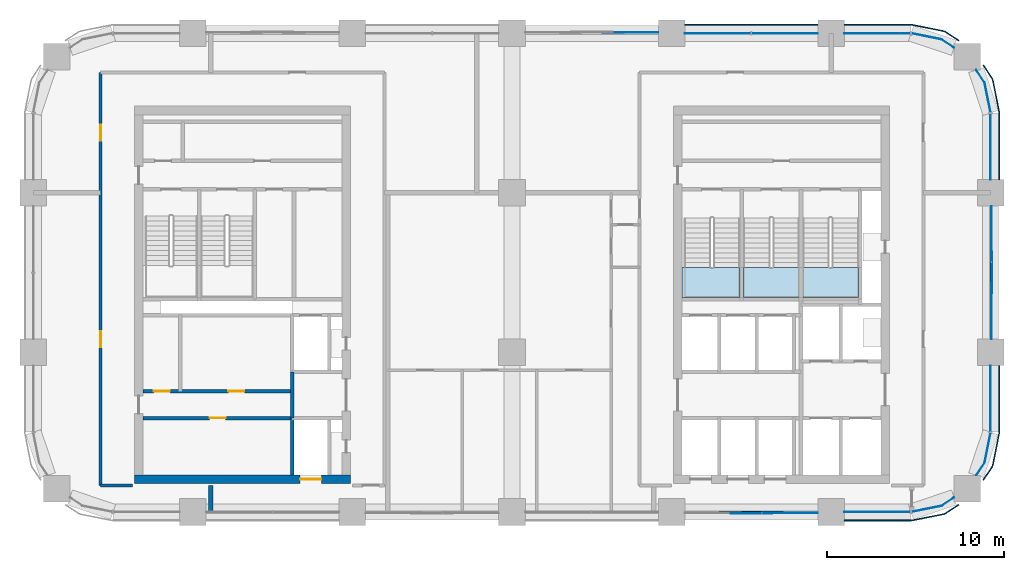
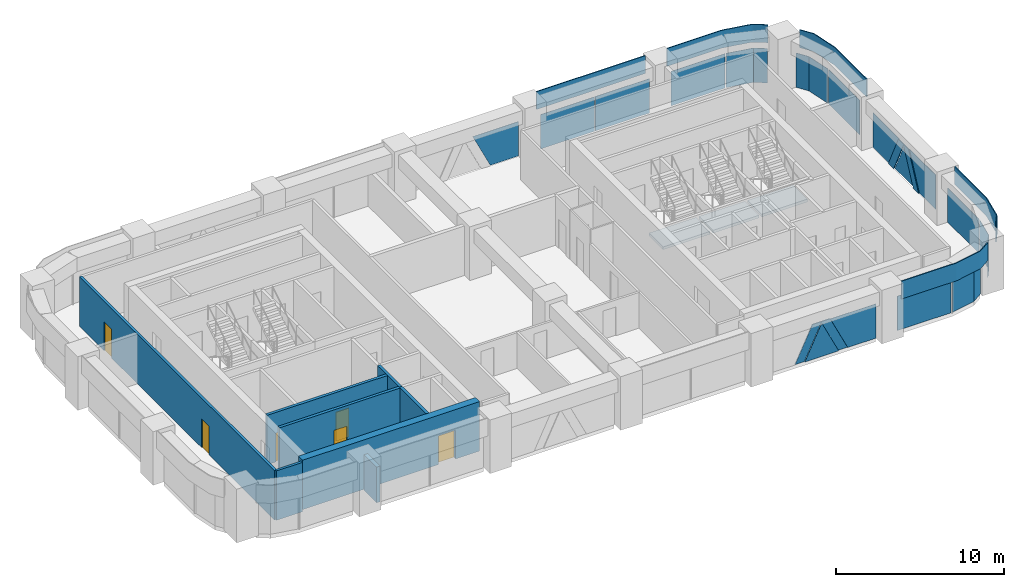
# One storey, part 8 of 19: 23 plates, 8 walls, 6 doors, 3 slabs, 6 openings, 11 elements without a shape of their own.
"""IFC4 building model written with IfcOpenShell, lengths in metres."""

from ifc_helpers import new_model, si_unit, direction, frame, frame_2d, origin, origin_2d, place, context, subcontext, project, spatial, polyline, rectangle, outline, extrude, material, layer, layer_set, type_object, element, fill, aggregate, save


model = new_model("IFC4")

# Units and contexts
model_context = context("Model", 3, precision=1e-05, world=origin(), true_north=direction((0.0, 1.0)))
body_context = subcontext(model_context, "Body", "Model", "MODEL_VIEW")
ifc_project = project(units=[si_unit("LENGTHUNIT", "METRE"), si_unit("AREAUNIT", "SQUARE_METRE"), si_unit("VOLUMEUNIT", "CUBIC_METRE"), si_unit("PLANEANGLEUNIT", "RADIAN"), si_unit("MASSUNIT", "GRAM", prefix="KILO")], contexts=[model_context])

# Site, building, storey
site_placement = place(None, origin())
site = spatial("IfcSite", under=ifc_project, at=site_placement, CompositionType="ELEMENT")
building_placement = place(site_placement, origin())
building = spatial("IfcBuilding", under=site, at=building_placement, Name="Tessera Arch", CompositionType="ELEMENT")
storey_placement = place(building_placement, frame((0.0, 0.0, 170.0)))
storey = spatial("IfcBuildingStorey", under=building, at=storey_placement, Name="L40", CompositionType="ELEMENT", Elevation=170.0)

# Curtain wall, plates
ifc_material_1 = material(Name="CW1 curtain wall")
curtain_wall_type_1 = type_object("IfcCurtainWallType", Name="CW1 curtain wall", PredefinedType="NOTDEFINED", material=ifc_material_1)
curtain_wall_1_placement = place(storey_placement, origin())
curtain_wall_1 = element("IfcCurtainWall", 1, at=curtain_wall_1_placement, inside=storey, type_object=curtain_wall_type_1, Name="CW1 curtain wall N54.0/1 L40", PredefinedType="NOTDEFINED")
ifc_material_2 = material(Name="Clear low-e glass", Category="glass")
ifc_material_3 = material(Name="Clear low-e glass", Category="glass")
ifc_layer_1 = layer(ifc_material_3, 0.028076171875)
ifc_layer_set_1 = layer_set([ifc_layer_1], Name="CW1 glass panel")
plate_type_1 = type_object("IfcPlateType", Name="CW1 glass panel", PredefinedType="CURTAIN_PANEL", material=ifc_layer_set_1)
plate_1_placement = place(storey_placement, frame((42.389892578125, 54.0, 0.0), z_axis=(0.0, 0.0, 1.0), x_axis=(-1.0, 0.0, 0.0)))
plate_1 = element("IfcPlate", 2, at=plate_1_placement, type_object=plate_type_1, material=ifc_material_2, Name="CW1 glass panel N54.0/1 1.1.1", PredefinedType="CURTAIN_PANEL", context=body_context, shape_type="SweptSolid", body=[
    extrude(rectangle(XDim=3.719970703125, YDim=0.028076171875, at=origin_2d()), origin(), (0.0, 0.0, 1.0), 2.5),
])
plate_2_placement = place(storey_placement, frame((38.610107421875, 54.0, 0.0), z_axis=(0.0, 0.0, 1.0), x_axis=(-1.0, 0.0, 0.0)))
plate_2 = element("IfcPlate", 3, at=plate_2_placement, type_object=plate_type_1, material=ifc_material_2, Name="CW1 glass panel N54.0/1 1.2.1", PredefinedType="CURTAIN_PANEL", context=body_context, shape_type="SweptSolid", body=[
    extrude(rectangle(XDim=3.719970703125, YDim=0.028076171875, at=origin_2d()), origin(), (0.0, 0.0, 1.0), 2.5),
])
ifc_material_4 = material(Name="Pale anodised aluminium panel", Category="aluminium")
ifc_layer_2 = layer(ifc_material_4, 0.06005859375)
ifc_layer_set_2 = layer_set([ifc_layer_2], Name="CW1 spandrel panel")
plate_type_2 = type_object("IfcPlateType", Name="CW1 spandrel panel", PredefinedType="CURTAIN_PANEL", material=ifc_layer_set_2)
plate_3_placement = place(storey_placement, frame((40.5, 54.47998046875, 2.60009765625), z_axis=(0.0, 0.0, 1.0), x_axis=(-1.0, 0.0, 0.0)))
plate_3 = element("IfcPlate", 4, at=plate_3_placement, type_object=plate_type_2, Name="CW1 spandrel panel N54.0/1", PredefinedType="CURTAIN_PANEL", context=body_context, shape_type="SweptSolid", body=[
    extrude(rectangle(XDim=7.5, YDim=0.06005859375, at=origin_2d()), origin(), (0.0, 0.0, 1.0), 1.300048828125),
])
aggregate(curtain_wall_1, [plate_1, plate_2, plate_3])

ifc_material_5 = material(Name="CW2 curtain wall")
curtain_wall_type_2 = type_object("IfcCurtainWallType", Name="CW2 curtain wall", PredefinedType="NOTDEFINED", material=ifc_material_5)
curtain_wall_2_placement = place(storey_placement, origin())
curtain_wall_2 = element("IfcCurtainWall", 5, at=curtain_wall_2_placement, inside=storey, type_object=curtain_wall_type_2, Name="CW2 curtain wall E54.27/1 L40", PredefinedType="NOTDEFINED")
ifc_material_6 = material(Name="Clear low-e glass", Category="glass")
ifc_layer_3 = layer(ifc_material_6, 0.028076171875)
ifc_layer_set_3 = layer_set([ifc_layer_3], Name="CW2 glass panel")
plate_type_3 = type_object("IfcPlateType", Name="CW2 glass panel", PredefinedType="CURTAIN_PANEL", material=ifc_layer_set_3)
plate_4_placement = place(storey_placement, frame((54.0, 47.60498046875, 0.0), z_axis=(0.0, 0.0, 1.0), x_axis=(0.0, 1.0, 0.0)))
plate_4 = element("IfcPlate", 6, at=plate_4_placement, type_object=plate_type_3, material=ifc_material_2, Name="CW2 glass panel E54.27/1 1.1", PredefinedType="CURTAIN_PANEL", context=body_context, shape_type="SweptSolid", body=[
    extrude(rectangle(XDim=3.7099609375, YDim=0.028076171875, at=origin_2d()), origin(), (0.0, 0.0, 1.0), 2.5),
])
plate_5_placement = place(storey_placement, origin())
plate_5 = element("IfcPlate", 7, at=plate_5_placement, type_object=plate_type_3, material=ifc_material_2, Name="CW2 curved glass panel E54.27/1 2.1", PredefinedType="CURTAIN_PANEL", context=body_context, shape_type="SweptSolid", body=[
    extrude(outline(polyline([(53.644287109375, 51.216552734375), (53.978515625, 49.53662109375), (54.005859375, 49.5419921875), (53.670654296875, 51.2275390625), (53.19482421875, 51.939697265625), (53.17138671875, 51.92431640625), (53.644287109375, 51.216552734375)])), origin(), (0.0, 0.0, 1.0), 2.5),
])

curtain_wall_3_placement = place(storey_placement, origin())
curtain_wall_3 = element("IfcCurtainWall", 8, at=curtain_wall_3_placement, inside=storey, type_object=curtain_wall_type_2, Name="CW2 curtain wall N54.0/0 L40", PredefinedType="NOTDEFINED")
plate_6_placement = place(storey_placement, frame((47.60498046875, 54.0, 0.0), z_axis=(0.0, 0.0, 1.0), x_axis=(-1.0, 0.0, 0.0)))
plate_6 = element("IfcPlate", 9, at=plate_6_placement, type_object=plate_type_3, material=ifc_material_2, Name="CW2 glass panel N54.0/0 1.1", PredefinedType="CURTAIN_PANEL", context=body_context, shape_type="SweptSolid", body=[
    extrude(rectangle(XDim=3.7099609375, YDim=0.028076171875, at=origin_2d()), origin(), (0.0, 0.0, 1.0), 2.5),
])
plate_7_placement = place(storey_placement, origin())
plate_7 = element("IfcPlate", 10, at=plate_7_placement, type_object=plate_type_3, material=ifc_material_2, Name="CW2 curved glass panel N54.0/0 2.1", PredefinedType="CURTAIN_PANEL", context=body_context, shape_type="SweptSolid", body=[
    extrude(outline(polyline([(51.216552734375, 53.644287109375), (51.92431640625, 53.17138671875), (51.939697265625, 53.19482421875), (51.2275390625, 53.670654296875), (49.5419921875, 54.005859375), (49.53662109375, 53.978515625), (51.216552734375, 53.644287109375)])), origin(), (0.0, 0.0, 1.0), 2.5),
])

curtain_wall_4_placement = place(storey_placement, origin())
curtain_wall_4 = element("IfcCurtainWall", 11, at=curtain_wall_4_placement, inside=storey, type_object=curtain_wall_type_2, Name="CW2 curtain wall S27.0/5 L40", PredefinedType="NOTDEFINED")
plate_8_placement = place(storey_placement, frame((47.60498046875, 27.0, 0.0), z_axis=(0.0, 0.0, 1.0), x_axis=(1.0, 0.0, 0.0)))
plate_8 = element("IfcPlate", 12, at=plate_8_placement, type_object=plate_type_3, material=ifc_material_2, Name="CW2 glass panel S27.0/5 1.1", PredefinedType="CURTAIN_PANEL", context=body_context, shape_type="SweptSolid", body=[
    extrude(rectangle(XDim=3.7099609375, YDim=0.028076171875, at=origin_2d()), origin(), (0.0, 0.0, 1.0), 2.5),
])
plate_9_placement = place(storey_placement, origin())
plate_9 = element("IfcPlate", 13, at=plate_9_placement, type_object=plate_type_3, material=ifc_material_2, Name="CW2 curved glass panel S27.0/5 2.1", PredefinedType="CURTAIN_PANEL", context=body_context, shape_type="SweptSolid", body=[
    extrude(outline(polyline([(51.216552734375, 27.355712890625), (49.53662109375, 27.021484375), (49.5419921875, 26.994140625), (51.2275390625, 27.329345703125), (51.939697265625, 27.80517578125), (51.92431640625, 27.82861328125), (51.216552734375, 27.355712890625)])), origin(), (0.0, 0.0, 1.0), 2.5),
])

curtain_wall_5_placement = place(storey_placement, origin())
curtain_wall_5 = element("IfcCurtainWall", 14, at=curtain_wall_5_placement, inside=storey, type_object=curtain_wall_type_2, Name="CW2 curtain wall E54.27/2 L40", PredefinedType="NOTDEFINED")
plate_10_placement = place(storey_placement, frame((54.0, 33.39501953125, 0.0), z_axis=(0.0, 0.0, 1.0), x_axis=(0.0, 1.0, 0.0)))
plate_10 = element("IfcPlate", 15, at=plate_10_placement, type_object=plate_type_3, material=ifc_material_2, Name="CW2 glass panel E54.27/2 1.1", PredefinedType="CURTAIN_PANEL", context=body_context, shape_type="SweptSolid", body=[
    extrude(rectangle(XDim=3.7099609375, YDim=0.028076171875, at=origin_2d()), origin(), (0.0, 0.0, 1.0), 2.5),
])
plate_11_placement = place(storey_placement, origin())
plate_11 = element("IfcPlate", 16, at=plate_11_placement, type_object=plate_type_3, material=ifc_material_2, Name="CW2 curved glass panel E54.27/2 2.1", PredefinedType="CURTAIN_PANEL", context=body_context, shape_type="SweptSolid", body=[
    extrude(outline(polyline([(53.644287109375, 29.783447265625), (53.17138671875, 29.07568359375), (53.19482421875, 29.060302734375), (53.670654296875, 29.7724609375), (54.005859375, 31.4580078125), (53.978515625, 31.46337890625), (53.644287109375, 29.783447265625)])), origin(), (0.0, 0.0, 1.0), 2.5),
])

# Plate
ifc_material_7 = material(Name="Pale anodised aluminium panel", Category="aluminium")
ifc_layer_4 = layer(ifc_material_7, 0.06005859375)
ifc_layer_set_4 = layer_set([ifc_layer_4], Name="CW2 spandrel panel")
plate_type_4 = type_object("IfcPlateType", Name="CW2 spandrel panel", PredefinedType="CURTAIN_PANEL", material=ifc_layer_set_4)
plate_12_placement = place(storey_placement, frame((0.0, 0.0, 2.60009765625)))
plate_12 = element("IfcPlate", 17, at=plate_12_placement, type_object=plate_type_4, Name="CW2 spandrel panel E54.27/1", PredefinedType="CURTAIN_PANEL", context=body_context, shape_type="SweptSolid", body=[
    extrude(outline(polyline([(54.449951171875, 49.499267578125), (54.449951171875, 45.75), (54.510009765625, 45.75), (54.510009765625, 49.500732421875), (54.507568359375, 49.550048828125), (54.500244140625, 49.598876953125), (54.157470703125, 51.322265625), (54.1455078125, 51.3701171875), (54.128662109375, 51.417236328125), (54.107421875, 51.462646484375), (54.08203125, 51.5048828125), (53.607177734375, 52.21533203125), (53.55712890625, 52.18212890625), (54.03125, 51.47265625), (54.054443359375, 51.434326171875), (54.0732421875, 51.394287109375), (54.088134765625, 51.352783203125), (54.09912109375, 51.30908203125), (54.441162109375, 49.588623046875), (54.44775390625, 49.544189453125), (54.449951171875, 49.499267578125)])), origin(), (0.0, 0.0, 1.0), 1.2998046875),
])

aggregate(curtain_wall_2, [plate_4, plate_5, plate_12])

plate_13_placement = place(storey_placement, frame((0.0, 0.0, 2.60009765625)))
plate_13 = element("IfcPlate", 18, at=plate_13_placement, type_object=plate_type_4, Name="CW2 spandrel panel N54.0/0", PredefinedType="CURTAIN_PANEL", context=body_context, shape_type="SweptSolid", body=[
    extrude(outline(polyline([(51.47265625, 54.03125), (52.18212890625, 53.55712890625), (52.21533203125, 53.607177734375), (51.5048828125, 54.08203125), (51.462646484375, 54.107421875), (51.417236328125, 54.128662109375), (51.3701171875, 54.1455078125), (51.322265625, 54.157470703125), (49.598876953125, 54.500244140625), (49.550048828125, 54.507568359375), (49.500732421875, 54.510009765625), (45.75, 54.510009765625), (45.75, 54.449951171875), (49.499267578125, 54.449951171875), (49.544189453125, 54.44775390625), (49.588623046875, 54.441162109375), (51.30908203125, 54.09912109375), (51.352783203125, 54.088134765625), (51.394287109375, 54.0732421875), (51.434326171875, 54.054443359375), (51.47265625, 54.03125)])), origin(), (0.0, 0.0, 1.0), 1.2998046875),
])

aggregate(curtain_wall_3, [plate_6, plate_7, plate_13])

plate_14_placement = place(storey_placement, frame((0.0, 0.0, 2.60009765625)))
plate_14 = element("IfcPlate", 19, at=plate_14_placement, type_object=plate_type_4, Name="CW2 spandrel panel S27.0/5", PredefinedType="CURTAIN_PANEL", context=body_context, shape_type="SweptSolid", body=[
    extrude(outline(polyline([(49.499267578125, 26.550048828125), (45.75, 26.550048828125), (45.75, 26.489990234375), (49.500732421875, 26.489990234375), (49.550048828125, 26.492431640625), (49.598876953125, 26.499755859375), (51.322265625, 26.842529296875), (51.3701171875, 26.8544921875), (51.417236328125, 26.871337890625), (51.462646484375, 26.892578125), (51.5048828125, 26.91796875), (52.21533203125, 27.392822265625), (52.18212890625, 27.44287109375), (51.47265625, 26.96875), (51.434326171875, 26.945556640625), (51.394287109375, 26.9267578125), (51.352783203125, 26.911865234375), (51.30908203125, 26.90087890625), (49.588623046875, 26.558837890625), (49.544189453125, 26.55224609375), (49.499267578125, 26.550048828125)])), origin(), (0.0, 0.0, 1.0), 1.2998046875),
])

aggregate(curtain_wall_4, [plate_8, plate_9, plate_14])

plate_15_placement = place(storey_placement, frame((0.0, 0.0, 2.60009765625)))
plate_15 = element("IfcPlate", 20, at=plate_15_placement, type_object=plate_type_4, Name="CW2 spandrel panel E54.27/2", PredefinedType="CURTAIN_PANEL", context=body_context, shape_type="SweptSolid", body=[
    extrude(outline(polyline([(54.03125, 29.52734375), (53.55712890625, 28.81787109375), (53.607177734375, 28.78466796875), (54.08203125, 29.4951171875), (54.107421875, 29.537353515625), (54.128662109375, 29.582763671875), (54.1455078125, 29.6298828125), (54.157470703125, 29.677734375), (54.500244140625, 31.401123046875), (54.507568359375, 31.449951171875), (54.510009765625, 31.499267578125), (54.510009765625, 35.25), (54.449951171875, 35.25), (54.449951171875, 31.500732421875), (54.44775390625, 31.455810546875), (54.441162109375, 31.411376953125), (54.09912109375, 29.69091796875), (54.088134765625, 29.647216796875), (54.0732421875, 29.605712890625), (54.054443359375, 29.565673828125), (54.03125, 29.52734375)])), origin(), (0.0, 0.0, 1.0), 1.2998046875),
])

aggregate(curtain_wall_5, [plate_10, plate_11, plate_15])

# Curtain wall, plate
ifc_material_8 = material(Name="CW3 curtain wall")
curtain_wall_type_3 = type_object("IfcCurtainWallType", Name="CW3 curtain wall", PredefinedType="NOTDEFINED", material=ifc_material_8)
curtain_wall_6_placement = place(storey_placement, origin())
curtain_wall_6 = element("IfcCurtainWall", 21, at=curtain_wall_6_placement, inside=storey, type_object=curtain_wall_type_3, Name="CW3 curtain wall E54.27/0 L40", PredefinedType="NOTDEFINED")
ifc_material_9 = material(Name="Pale anodised aluminium panel", Category="aluminium")
ifc_layer_5 = layer(ifc_material_9, 0.06005859375)
ifc_layer_set_5 = layer_set([ifc_layer_5], Name="CW3 diagonal panel")
plate_type_5 = type_object("IfcPlateType", Name="CW3 diagonal panel", PredefinedType="CURTAIN_PANEL", material=ifc_layer_set_5)
plate_16_placement = place(storey_placement, frame((54.030029296875, 41.108642578125, 2.5), z_axis=(1.0, 0.0, 0.0), x_axis=(0.0, -1.0, 0.0)))
plate_16 = element("IfcPlate", 22, at=plate_16_placement, type_object=plate_type_5, Name="CW3 diagonal panel E54.27/0 1", PredefinedType="CURTAIN_PANEL", context=body_context, shape_type="SweptSolid", body=[
    extrude(outline(polyline([(0.0, 0.0), (1.21728515625, 0.0), (2.419189453125, 2.5), (1.77880859375, 2.5), (0.608642578125, 0.06591796875), (-0.5615234375, 2.5), (-1.201904296875, 2.5), (0.0, 0.0)])), origin(), (0.0, 0.0, -1.0), 0.06005859375),
])

curtain_wall_7_placement = place(storey_placement, origin())
curtain_wall_7 = element("IfcCurtainWall", 23, at=curtain_wall_7_placement, inside=storey, type_object=curtain_wall_type_3, Name="CW3 curtain wall S27.0/4 L40", PredefinedType="NOTDEFINED")
plate_17_placement = place(storey_placement, frame((41.108642578125, 26.969970703125, 2.5), z_axis=(0.0, -1.0, 0.0), x_axis=(-1.0, 0.0, 0.0)))
plate_17 = element("IfcPlate", 24, at=plate_17_placement, type_object=plate_type_5, Name="CW3 diagonal panel S27.0/4 1", PredefinedType="CURTAIN_PANEL", context=body_context, shape_type="SweptSolid", body=[
    extrude(outline(polyline([(0.0, 0.0), (1.21728515625, 0.0), (2.419189453125, 2.5), (1.77880859375, 2.5), (0.608642578125, 0.06591796875), (-0.5615234375, 2.5), (-1.201904296875, 2.5), (0.0, 0.0)])), origin(), (0.0, 0.0, -1.0), 0.06005859375),
])

# Plate
ifc_material_10 = material(Name="Clear low-e glass", Category="glass")
ifc_layer_6 = layer(ifc_material_10, 0.028076171875)
ifc_layer_set_6 = layer_set([ifc_layer_6], Name="CW3 glass panel")
plate_type_6 = type_object("IfcPlateType", Name="CW3 glass panel", PredefinedType="CURTAIN_PANEL", material=ifc_layer_set_6)
plate_18_placement = place(storey_placement, frame((54.05810546875, 36.75, 0.0), z_axis=(1.0, 0.0, 0.0), x_axis=(0.0, 1.0, 0.0)))
plate_18 = element("IfcPlate", 25, at=plate_18_placement, type_object=plate_type_6, material=ifc_material_2, Name="CW3 triangulated glass panel E54.27/0 1", PredefinedType="CURTAIN_PANEL", context=body_context, shape_type="SweptSolid", body=[
    extrude(outline(polyline([(0.0, 0.0), (1.939453125, 0.0), (3.141357421875, 2.5), (0.0, 2.5), (0.0, 0.0)])), origin(), (0.0, 0.0, -1.0), 0.028076171875),
])

plate_19_placement = place(storey_placement, frame((54.0859375, 39.329833984375, 0.0), z_axis=(1.0, 0.0, 0.0), x_axis=(0.0, 1.0, 0.0)))
plate_19 = element("IfcPlate", 26, at=plate_19_placement, type_object=plate_type_6, material=ifc_material_2, Name="CW3 triangulated glass panel E54.27/0 2", PredefinedType="CURTAIN_PANEL", context=body_context, shape_type="SweptSolid", body=[
    extrude(outline(polyline([(0.0, 0.0), (2.34033203125, 0.0), (1.170166015625, 2.43408203125), (0.0, 0.0)])), origin(), (0.0, 0.0, -1.0), 0.028076171875),
])

plate_20_placement = place(storey_placement, frame((54.05810546875, 44.25, 2.5), z_axis=(1.0, 0.0, 0.0), x_axis=(0.0, -1.0, 0.0)))
plate_20 = element("IfcPlate", 27, at=plate_20_placement, type_object=plate_type_6, material=ifc_material_2, Name="CW3 triangulated glass panel E54.27/0 3", PredefinedType="CURTAIN_PANEL", context=body_context, shape_type="SweptSolid", body=[
    extrude(outline(polyline([(0.0, 0.0), (3.141357421875, 0.0), (1.939453125, 2.5), (0.0, 2.5), (0.0, 0.0)])), origin(), (0.0, 0.0, -1.0), 0.028076171875),
])

aggregate(curtain_wall_6, [plate_18, plate_19, plate_20, plate_16])

# Curtain wall, plate
curtain_wall_8_placement = place(storey_placement, origin())
curtain_wall_8 = element("IfcCurtainWall", 28, at=curtain_wall_8_placement, inside=storey, type_object=curtain_wall_type_3, Name="CW3 curtain wall N54.0/2 L40", PredefinedType="NOTDEFINED")
plate_21_placement = place(storey_placement, frame((35.25, 54.05810546875, 0.0), z_axis=(0.0, 1.0, 0.0), x_axis=(-1.0, 0.0, 0.0)))
plate_21 = element("IfcPlate", 29, at=plate_21_placement, type_object=plate_type_6, material=ifc_material_2, Name="CW3 triangulated glass panel N54.0/2 1", PredefinedType="CURTAIN_PANEL", context=body_context, shape_type="SweptSolid", body=[
    extrude(outline(polyline([(0.0, 0.0), (1.939453125, 0.0), (3.141357421875, 2.5), (0.0, 2.5), (0.0, 0.0)])), origin(), (0.0, 0.0, -1.0), 0.028076171875),
])
aggregate(curtain_wall_8, [plate_21])

# Plate
plate_22_placement = place(storey_placement, frame((39.329833984375, 26.9140625, 0.0), z_axis=(0.0, -1.0, 0.0), x_axis=(1.0, 0.0, 0.0)))
plate_22 = element("IfcPlate", 30, at=plate_22_placement, type_object=plate_type_6, material=ifc_material_2, Name="CW3 triangulated glass panel S27.0/4 2", PredefinedType="CURTAIN_PANEL", context=body_context, shape_type="SweptSolid", body=[
    extrude(outline(polyline([(0.0, 0.0), (2.34033203125, 0.0), (1.170166015625, 2.43408203125), (0.0, 0.0)])), origin(), (0.0, 0.0, -1.0), 0.028076171875),
])

plate_23_placement = place(storey_placement, frame((44.25, 26.94189453125, 2.5), z_axis=(0.0, -1.0, 0.0), x_axis=(-1.0, 0.0, 0.0)))
plate_23 = element("IfcPlate", 31, at=plate_23_placement, type_object=plate_type_6, material=ifc_material_2, Name="CW3 triangulated glass panel S27.0/4 3", PredefinedType="CURTAIN_PANEL", context=body_context, shape_type="SweptSolid", body=[
    extrude(outline(polyline([(0.0, 0.0), (3.141357421875, 0.0), (1.939453125, 2.5), (0.0, 2.5), (0.0, 0.0)])), origin(), (0.0, 0.0, -1.0), 0.028076171875),
])

aggregate(curtain_wall_7, [plate_22, plate_23, plate_17])

# Stair, slab
ifc_material_11 = material(Name="Concrete C40/50", Category="concrete")
stair_type = type_object("IfcStairType", Name="Dogleg stair 1520", PredefinedType="HALF_TURN_STAIR", material=ifc_material_11)
stair_1_placement = place(storey_placement, origin())
stair_1 = element("IfcStair", 32, at=stair_1_placement, inside=storey, type_object=stair_type, Name="L40 S1a", PredefinedType="HALF_TURN_STAIR")
ifc_material_12 = material(Name="Concrete C40/50", Category="concrete")
ifc_layer_7 = layer(ifc_material_12, 0.300048828125)
ifc_layer_set_7 = layer_set([ifc_layer_7], Name="Stair landing 300")
slab_type = type_object("IfcSlabType", Name="Stair landing 300", PredefinedType="LANDING", material=ifc_layer_set_7)
slab_1_placement = place(storey_placement, frame((0.0, 0.0, 1.75)))
slab_1 = element("IfcSlab", 33, at=slab_1_placement, type_object=slab_type, Name="S1a landing 1", PredefinedType="LANDING", context=body_context, shape_type="SweptSolid", body=[
    extrude(outline(polyline([(36.60009765625, 40.780029296875), (36.60009765625, 39.10009765625), (39.85009765625, 39.10009765625), (39.85009765625, 40.780029296875), (36.60009765625, 40.780029296875)])), origin(), (0.0, 0.0, 1.0), 0.199951171875),
])
aggregate(stair_1, [slab_1])

stair_2_placement = place(storey_placement, origin())
stair_2 = element("IfcStair", 34, at=stair_2_placement, inside=storey, type_object=stair_type, Name="L40 S1b", PredefinedType="HALF_TURN_STAIR")
slab_2_placement = place(storey_placement, frame((0.0, 0.0, 1.75)))
slab_2 = element("IfcSlab", 35, at=slab_2_placement, type_object=slab_type, Name="S1b landing 1", PredefinedType="LANDING", context=body_context, shape_type="SweptSolid", body=[
    extrude(outline(polyline([(40.050048828125, 40.780029296875), (40.050048828125, 39.10009765625), (43.199951171875, 39.10009765625), (43.199951171875, 40.780029296875), (40.050048828125, 40.780029296875)])), origin(), (0.0, 0.0, 1.0), 0.199951171875),
])
aggregate(stair_2, [slab_2])

stair_3_placement = place(storey_placement, origin())
stair_3 = element("IfcStair", 36, at=stair_3_placement, inside=storey, type_object=stair_type, Name="L40 S1c", PredefinedType="HALF_TURN_STAIR")
slab_3_placement = place(storey_placement, frame((0.0, 0.0, 1.75)))
slab_3 = element("IfcSlab", 37, at=slab_3_placement, type_object=slab_type, Name="S1c landing 1", PredefinedType="LANDING", context=body_context, shape_type="SweptSolid", body=[
    extrude(outline(polyline([(43.39990234375, 40.780029296875), (43.39990234375, 39.10009765625), (46.550048828125, 39.10009765625), (46.550048828125, 40.780029296875), (43.39990234375, 40.780029296875)])), origin(), (0.0, 0.0, 1.0), 0.199951171875),
])
aggregate(stair_3, [slab_3])

# Wall
ifc_material_13 = material(Name="Gypsum board on steel stud", Category="steel")
ifc_layer_8 = layer(ifc_material_13, 0.125)
ifc_layer_set_8 = layer_set([ifc_layer_8], Name="Core partition 125 EI 60")
wall_type_1 = type_object("IfcWallType", Name="Core partition 125 EI 60", PredefinedType="PARTITIONING", material=ifc_layer_set_8)
wall_1_placement = place(storey_placement, frame((14.60009765625, 32.300048828125, 0.0), z_axis=(0.0, 0.0, 1.0), x_axis=(0.0, 1.0, 0.0)))
element("IfcWall", 38, at=wall_1_placement, inside=storey, type_object=wall_type_1, Name="L40 C2 partition wall 7", PredefinedType="PARTITIONING", context=body_context, shape_type="SweptSolid", body=[
    extrude(rectangle(XDim=2.599853515625, YDim=0.199951171875, at=frame_2d((1.2998046875, 0.0))), origin(), (0.0, 0.0, 1.0), 3.60009765625),
])

# Wall, opening, door
wall_2_placement = place(storey_placement, frame((6.199951171875, 32.300048828125, 0.0), z_axis=(0.0, 0.0, 1.0), x_axis=(1.0, 0.0, 0.0)))
wall_2 = element("IfcWall", 39, at=wall_2_placement, inside=storey, type_object=wall_type_1, Name="L40 C2 partition wall 13", PredefinedType="PARTITIONING", context=body_context, shape_type="SweptSolid", body=[
    extrude(rectangle(XDim=8.400146484375, YDim=0.199951171875, at=frame_2d((4.2001953125, 0.0))), origin(), (0.0, 0.0, 1.0), 3.60009765625),
])
opening_1_placement = place(wall_2_placement, frame((3.75, 0.0, 0.0)))
opening_1 = element("IfcOpeningElement", 40, at=opening_1_placement, cuts=wall_2, Name="Opening L40-C32", PredefinedType="OPENING", context=body_context, shape_type="SweptSolid", body=[
    extrude(rectangle(XDim=0.89990234375, YDim=2.10009765625, at=frame_2d((0.449951171875, 1.050048828125))), frame((0.0, 0.10986328125, 0.0), z_axis=(0.0, -1.0, 0.0), x_axis=(1.0, 0.0, 0.0)), (0.0, 0.0, 1.0), 0.219970703125),
])
ifc_material_14 = material(Name="Steel door leaf", Category="steel")
door_type_1 = type_object("IfcDoorType", Name="Store door FD30S 900 x 2100", OperationType="SINGLE_SWING_LEFT", PredefinedType="DOOR", material=ifc_material_14)
door_1_placement = place(opening_1_placement, origin())
door_1 = element("IfcDoor", 41, at=door_1_placement, inside=storey, type_object=door_type_1, Name="L40 C2 door 14 C32 type D09", OperationType="SINGLE_SWING_RIGHT", OverallHeight=2.10009765625, OverallWidth=0.89990234375, PredefinedType="DOOR", context=body_context, shape_type="SweptSolid", body=[
    extrude(rectangle(XDim=0.89990234375, YDim=2.10009765625, at=frame_2d((0.449951171875, 1.050048828125))), frame((0.0, 0.02490234375, 0.0), z_axis=(0.0, -1.0, 0.0), x_axis=(1.0, 0.0, 0.0)), (0.0, 0.0, 1.0), 0.050048828125),
])
fill(opening_1, door_1)

# Wall, openings, doors
wall_3_placement = place(storey_placement, frame((6.199951171875, 33.800048828125, 0.0), z_axis=(0.0, 0.0, 1.0), x_axis=(1.0, 0.0, 0.0)))
wall_3 = element("IfcWall", 42, at=wall_3_placement, inside=storey, type_object=wall_type_1, Name="L40 C2 partition wall 15", PredefinedType="PARTITIONING", context=body_context, shape_type="SweptSolid", body=[
    extrude(rectangle(XDim=8.400146484375, YDim=0.199951171875, at=frame_2d((4.2001953125, 0.0))), origin(), (0.0, 0.0, 1.0), 3.60009765625),
])
opening_2_placement = place(wall_3_placement, frame((0.60009765625, 0.0, 0.0)))
opening_2 = element("IfcOpeningElement", 43, at=opening_2_placement, cuts=wall_3, Name="Opening L40-C33", PredefinedType="OPENING", context=body_context, shape_type="SweptSolid", body=[
    extrude(rectangle(XDim=0.89990234375, YDim=2.10009765625, at=frame_2d((0.449951171875, 1.050048828125))), frame((0.0, 0.10986328125, 0.0), z_axis=(0.0, -1.0, 0.0), x_axis=(1.0, 0.0, 0.0)), (0.0, 0.0, 1.0), 0.219970703125),
])
opening_3_placement = place(wall_3_placement, frame((4.800048828125, 0.0, 0.0)))
opening_3 = element("IfcOpeningElement", 44, at=opening_3_placement, cuts=wall_3, Name="Opening L40-C34", PredefinedType="OPENING", context=body_context, shape_type="SweptSolid", body=[
    extrude(rectangle(XDim=0.89990234375, YDim=2.10009765625, at=frame_2d((0.449951171875, 1.050048828125))), frame((0.0, 0.10986328125, 0.0), z_axis=(0.0, -1.0, 0.0), x_axis=(1.0, 0.0, 0.0)), (0.0, 0.0, 1.0), 0.219970703125),
])
door_2_placement = place(opening_2_placement, origin())
door_2 = element("IfcDoor", 45, at=door_2_placement, inside=storey, type_object=door_type_1, Name="L40 C2 door 15 C33 type D09", OperationType="SINGLE_SWING_LEFT", OverallHeight=2.10009765625, OverallWidth=0.89990234375, PredefinedType="DOOR", context=body_context, shape_type="SweptSolid", body=[
    extrude(rectangle(XDim=0.89990234375, YDim=2.10009765625, at=frame_2d((0.449951171875, 1.050048828125))), frame((0.0, 0.02490234375, 0.0), z_axis=(0.0, -1.0, 0.0), x_axis=(1.0, 0.0, 0.0)), (0.0, 0.0, 1.0), 0.050048828125),
])
fill(opening_2, door_2)
door_3_placement = place(opening_3_placement, origin())
door_3 = element("IfcDoor", 46, at=door_3_placement, inside=storey, type_object=door_type_1, Name="L40 C2 door 16 C34 type D09", OperationType="SINGLE_SWING_RIGHT", OverallHeight=2.10009765625, OverallWidth=0.89990234375, PredefinedType="DOOR", context=body_context, shape_type="SweptSolid", body=[
    extrude(rectangle(XDim=0.89990234375, YDim=2.10009765625, at=frame_2d((0.449951171875, 1.050048828125))), frame((0.0, 0.02490234375, 0.0), z_axis=(0.0, -1.0, 0.0), x_axis=(1.0, 0.0, 0.0)), (0.0, 0.0, 1.0), 0.050048828125),
])
fill(opening_3, door_3)

# Wall, opening, door
ifc_material_15 = material(Name="Concrete C60/75", Category="concrete")
ifc_layer_9 = layer(ifc_material_15, 0.5)
ifc_layer_set_9 = layer_set([ifc_layer_9], Name="Core shell wall 500 C60-75")
wall_type_2 = type_object("IfcWallType", Name="Core shell wall 500 C60-75", PredefinedType="SHEAR", material=ifc_layer_set_9)
wall_4_placement = place(storey_placement, frame((5.699951171875, 28.85009765625, 0.0), z_axis=(0.0, 0.0, 1.0), x_axis=(1.0, 0.0, 0.0)))
wall_4 = element("IfcWall", 47, at=wall_4_placement, inside=storey, type_object=wall_type_2, Name="L40 C2 core wall S", PredefinedType="SHEAR", context=body_context, shape_type="SweptSolid", body=[
    extrude(rectangle(XDim=12.199951171875, YDim=0.5, at=frame_2d((6.10009765625, 0.0))), origin(), (0.0, 0.0, 1.0), 3.60009765625),
])
opening_4_placement = place(wall_4_placement, frame((9.35009765625, 0.0, 0.0)))
opening_4 = element("IfcOpeningElement", 48, at=opening_4_placement, cuts=wall_4, Name="Opening L40-C19", PredefinedType="OPENING", context=body_context, shape_type="SweptSolid", body=[
    extrude(rectangle(XDim=1.199951171875, YDim=2.10009765625, at=frame_2d((0.60009765625, 1.050048828125))), frame((0.0, 0.260009765625, 0.0), z_axis=(0.0, -1.0, 0.0), x_axis=(1.0, 0.0, 0.0)), (0.0, 0.0, 1.0), 0.52001953125),
])
ifc_material_16 = material(Name="Stainless steel AISI 304", Category="steel")
door_type_2 = type_object("IfcDoorType", Name="Sliding landing door 1200 x 2100", OperationType="SLIDING_TO_LEFT", PredefinedType="DOOR", material=ifc_material_16)
door_4_placement = place(opening_4_placement, origin())
door_4 = element("IfcDoor", 49, at=door_4_placement, inside=storey, type_object=door_type_2, Name="L40 HR7 lift landing door C19 type LD", OperationType="SLIDING_TO_LEFT", OverallHeight=2.10009765625, OverallWidth=1.199951171875, PredefinedType="DOOR", context=body_context, shape_type="SweptSolid", body=[
    extrude(rectangle(XDim=1.199951171875, YDim=2.10009765625, at=frame_2d((0.60009765625, 1.050048828125))), frame((0.0, 0.02490234375, 0.0), z_axis=(0.0, -1.0, 0.0), x_axis=(1.0, 0.0, 0.0)), (0.0, 0.0, 1.0), 0.050048828125),
])
fill(opening_4, door_4)

# Wall
ifc_material_17 = material(Name="Gypsum board on deep steel stud with mineral wool", Category="steel")
ifc_layer_10 = layer(ifc_material_17, 0.175048828125)
ifc_layer_set_10 = layer_set([ifc_layer_10], Name="Corridor wall 175 EI 60")
wall_type_3 = type_object("IfcWallType", Name="Corridor wall 175 EI 60", PredefinedType="PARTITIONING", material=ifc_layer_set_10)
wall_5_placement = place(storey_placement, frame((3.800048828125, 28.5, 0.0), z_axis=(0.0, 0.0, 1.0), x_axis=(1.0, 0.0, 0.0)))
element("IfcWall", 50, at=wall_5_placement, inside=storey, type_object=wall_type_3, Name="L40 partition 1", PredefinedType="PARTITIONING", context=body_context, shape_type="SweptSolid", body=[
    extrude(rectangle(XDim=1.800048828125, YDim=0.175048828125, at=frame_2d((0.89990234375, 0.0))), origin(), (0.0, 0.0, 1.0), 3.60009765625),
])

# Wall, openings, doors
wall_6_placement = place(storey_placement, frame((3.800048828125, 28.5, 0.0), z_axis=(0.0, 0.0, 1.0), x_axis=(0.0, 1.0, 0.0)))
wall_6 = element("IfcWall", 51, at=wall_6_placement, inside=storey, type_object=wall_type_3, Name="L40 partition 7", PredefinedType="PARTITIONING", context=body_context, shape_type="SweptSolid", body=[
    extrude(rectangle(XDim=23.300048828125, YDim=0.175048828125, at=frame_2d((11.64990234375, 0.0))), origin(), (0.0, 0.0, 1.0), 3.60009765625),
])
opening_5_placement = place(wall_6_placement, frame((7.800048828125, 0.0, 0.0)))
opening_5 = element("IfcOpeningElement", 52, at=opening_5_placement, cuts=wall_6, Name="Opening L40-D002", PredefinedType="OPENING", context=body_context, shape_type="SweptSolid", body=[
    extrude(rectangle(XDim=0.89990234375, YDim=2.10009765625, at=frame_2d((0.449951171875, 1.050048828125))), frame((0.0, 0.097412109375, 0.0), z_axis=(0.0, -1.0, 0.0), x_axis=(1.0, 0.0, 0.0)), (0.0, 0.0, 1.0), 0.195068359375),
])
opening_6_placement = place(wall_6_placement, frame((19.449951171875, 0.0, 0.0)))
opening_6 = element("IfcOpeningElement", 53, at=opening_6_placement, cuts=wall_6, Name="Opening L40-D013", PredefinedType="OPENING", context=body_context, shape_type="SweptSolid", body=[
    extrude(rectangle(XDim=0.89990234375, YDim=2.10009765625, at=frame_2d((0.449951171875, 1.050048828125))), frame((0.0, 0.097412109375, 0.0), z_axis=(0.0, -1.0, 0.0), x_axis=(1.0, 0.0, 0.0)), (0.0, 0.0, 1.0), 0.195068359375),
])
ifc_material_18 = material(Name="Timber door leaf", Category="wood")
door_type_3 = type_object("IfcDoorType", Name="Room door 900 x 2100", OperationType="SINGLE_SWING_LEFT", PredefinedType="DOOR", material=ifc_material_18)
door_5_placement = place(opening_5_placement, origin())
door_5 = element("IfcDoor", 54, at=door_5_placement, inside=storey, type_object=door_type_3, Name="L40 door D002 type D01", OperationType="SINGLE_SWING_LEFT", OverallHeight=2.10009765625, OverallWidth=0.89990234375, PredefinedType="DOOR", context=body_context, shape_type="SweptSolid", body=[
    extrude(rectangle(XDim=0.89990234375, YDim=2.10009765625, at=frame_2d((0.449951171875, 1.050048828125))), frame((0.0, 0.02490234375, 0.0), z_axis=(0.0, -1.0, 0.0), x_axis=(1.0, 0.0, 0.0)), (0.0, 0.0, 1.0), 0.050048828125),
])
fill(opening_5, door_5)
door_6_placement = place(opening_6_placement, origin())
door_6 = element("IfcDoor", 55, at=door_6_placement, inside=storey, type_object=door_type_3, Name="L40 door D013 type D01", OperationType="SINGLE_SWING_LEFT", OverallHeight=2.10009765625, OverallWidth=0.89990234375, PredefinedType="DOOR", context=body_context, shape_type="SweptSolid", body=[
    extrude(rectangle(XDim=0.89990234375, YDim=2.10009765625, at=frame_2d((0.449951171875, 1.050048828125))), frame((0.0, 0.02490234375, 0.0), z_axis=(0.0, -1.0, 0.0), x_axis=(1.0, 0.0, 0.0)), (0.0, 0.0, 1.0), 0.050048828125),
])
fill(opening_6, door_6)

# Walls
ifc_material_19 = material(Name="Double gypsum board on twin steel stud with acoustic mineral wool", Category="steel")
ifc_layer_11 = layer(ifc_material_19, 0.25)
ifc_layer_set_11 = layer_set([ifc_layer_11], Name="Party wall 250 EI 60")
wall_type_4 = type_object("IfcWallType", Name="Party wall 250 EI 60", PredefinedType="PARTITIONING", material=ifc_layer_set_11)
wall_7_placement = place(storey_placement, frame((10.0, 27.0, 0.0), z_axis=(0.0, 0.0, 1.0), x_axis=(0.0, 1.0, 0.0)))
element("IfcWall", 56, at=wall_7_placement, inside=storey, type_object=wall_type_4, Name="L40 partition 19", PredefinedType="PARTITIONING", context=body_context, shape_type="SweptSolid", body=[
    extrude(rectangle(XDim=1.5, YDim=0.25, at=frame_2d((0.75, 0.0))), origin(), (0.0, 0.0, 1.0), 2.60009765625),
])
ifc_material_20 = material(Name="Concrete C40/50", Category="concrete")
ifc_layer_12 = layer(ifc_material_20, 0.199951171875)
ifc_layer_set_12 = layer_set([ifc_layer_12], Name="Shaft wall 200 EI 120")
wall_type_5 = type_object("IfcWallType", Name="Shaft wall 200 EI 120", PredefinedType="SOLIDWALL", material=ifc_layer_set_12)
wall_8_placement = place(storey_placement, frame((14.60009765625, 29.10009765625, 0.0), z_axis=(0.0, 0.0, 1.0), x_axis=(0.0, 1.0, 0.0)))
element("IfcWall", 57, at=wall_8_placement, inside=storey, type_object=wall_type_5, Name="L40 C2 shaft wall 8", PredefinedType="SOLIDWALL", context=body_context, shape_type="SweptSolid", body=[
    extrude(rectangle(XDim=3.199951171875, YDim=0.199951171875, at=frame_2d((1.60009765625, 0.0))), origin(), (0.0, 0.0, 1.0), 3.60009765625),
])

save(model, "model.ifc")
